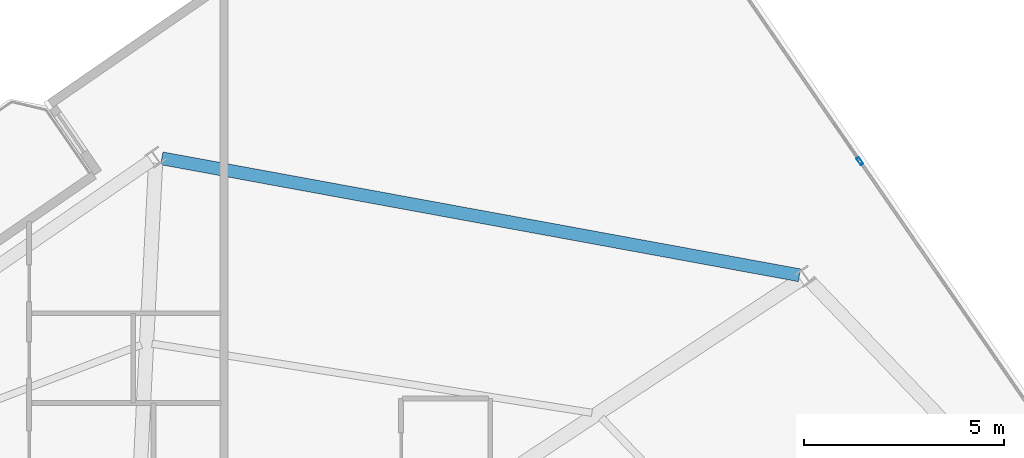
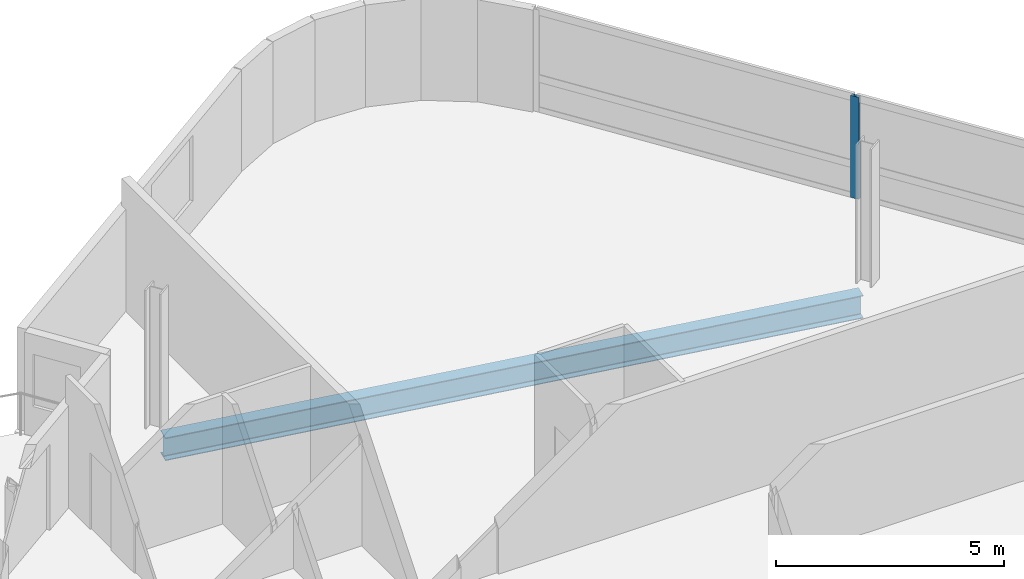
# One storey, part 9 of 21: 1 beam, 1 member, 1 element without a shape of its own.
"""IFC4 building model written with IfcOpenShell, lengths in metres."""

from ifc_helpers import new_model, si_unit, direction, frame, origin, origin_2d, place, context, subcontext, project, spatial, hollow_rectangle, i_section, extrude, material, layer, layer_set, material_profile, profile_set, type_object, element, aggregate, save


model = new_model("IFC4")

# Units and contexts
model_context = context("Model", 3, precision=1e-05, world=origin(), true_north=direction((0.0, 1.0)))
body_context = subcontext(model_context, "Body", "Model", "MODEL_VIEW")
ifc_project = project(units=[si_unit("LENGTHUNIT", "METRE"), si_unit("AREAUNIT", "SQUARE_METRE"), si_unit("VOLUMEUNIT", "CUBIC_METRE"), si_unit("PLANEANGLEUNIT", "RADIAN"), si_unit("MASSUNIT", "GRAM", prefix="KILO")], contexts=[model_context])

# Site, building, storey
site_placement = place(None, origin())
site = spatial("IfcSite", under=ifc_project, at=site_placement, CompositionType="ELEMENT")
building_placement = place(site_placement, origin())
building = spatial("IfcBuilding", under=site, at=building_placement, Name="Varnelok Gate Tower", CompositionType="ELEMENT")
storey_placement = place(building_placement, frame((0.0, 0.0, 276.699951171875)))
storey = spatial("IfcBuildingStorey", under=building, at=storey_placement, Name="L71", CompositionType="ELEMENT", Elevation=276.699951171875)

# Beam
ifc_material_1 = material(Name="Structural Steel ASTM A992 Grade 50", Category="steel")
ifc_material_profile_1 = material_profile(ifc_material_1, i_section(OverallWidth=0.323974609375, OverallDepth=0.611083984375, WebThickness=0.0126953125, FlangeThickness=0.01904296875, FilletRadius=0.01806640625, at=origin_2d()), Name="W24X104")
ifc_profile_set_1 = profile_set([ifc_material_profile_1], Name="Structural Steel ASTM A992 Grade 50")
beam_type = type_object("IfcBeamType", Name="BM-SPN-W24X104", PredefinedType="SPANDREL", material=ifc_profile_set_1)
beam_placement = place(storey_placement, frame((60.406005859375, 47.564453125, -0.555419921875), z_axis=(-0.98359926462, 0.180367642995, 0.0), x_axis=(-0.180367642995, -0.98359926462, 0.0)))
element("IfcBeam", 1, at=beam_placement, inside=storey, type_object=beam_type, Name="L71 Perimeter Spandrel Beam 8", PredefinedType="SPANDREL", context=body_context, shape_type="SweptSolid", body=[
    extrude(i_section(OverallWidth=0.323974609375, OverallDepth=0.611083984375, WebThickness=0.0126953125, FlangeThickness=0.01904296875, FilletRadius=0.01806640625, at=origin_2d()), origin(), (0.0, 0.0, 1.0), 16.23193359375),
])

# Curtain wall, member
ifc_material_2 = material(Name="Anodized Aluminum Alloy 6063-T6", Category="aluminium")
ifc_layer = layer(ifc_material_2, 0.179931640625)
ifc_layer_set = layer_set([ifc_layer], Name="Anodized Aluminum Alloy 6063-T6")
curtain_wall_type = type_object("IfcCurtainWallType", Name="CW4-RESIDENCE-VISION", PredefinedType="USERDEFINED", material=ifc_layer_set)
curtain_wall_placement = place(storey_placement, origin())
curtain_wall = element("IfcCurtainWall", 2, at=curtain_wall_placement, inside=storey, type_object=curtain_wall_type, Name="L71 East End Vision Curtain Wall", ObjectType="UNITISED CURTAIN WALL", PredefinedType="USERDEFINED")
ifc_material_profile_2 = material_profile(ifc_material_2, hollow_rectangle(XDim=0.074951171875, YDim=0.199951171875, WallThickness=0.00390625, at=origin_2d()), Name="ALU200X75X4")
ifc_profile_set_2 = profile_set([ifc_material_profile_2], Name="Anodized Aluminum Alloy 6063-T6")
member_type = type_object("IfcMemberType", Name="CW-MULL-200", PredefinedType="MULLION", material=ifc_profile_set_2)
member_placement = place(storey_placement, frame((61.9189453125, 50.420654296875, 0.0), z_axis=(0.0, 0.0, 1.0), x_axis=(0.823532290241, 0.567269395376, 0.0)))
member = element("IfcMember", 3, at=member_placement, type_object=member_type, Name="CW4 mullion 2", PredefinedType="MULLION", context=body_context, shape_type="SweptSolid", body=[
    extrude(hollow_rectangle(XDim=0.074951171875, YDim=0.199951171875, WallThickness=0.00390625, at=origin_2d()), origin(), (0.0, 0.0, 1.0), 2.72998046875),
])
aggregate(curtain_wall, [member])

save(model, "model.ifc")
